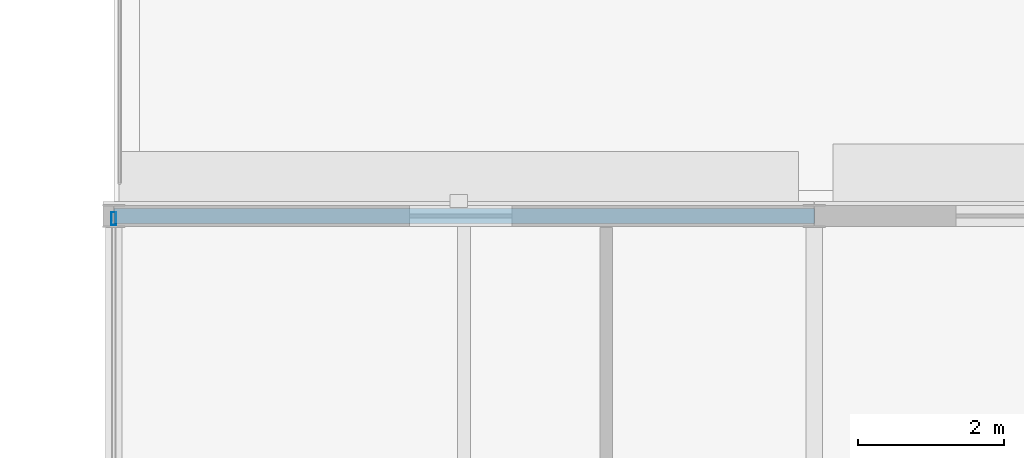
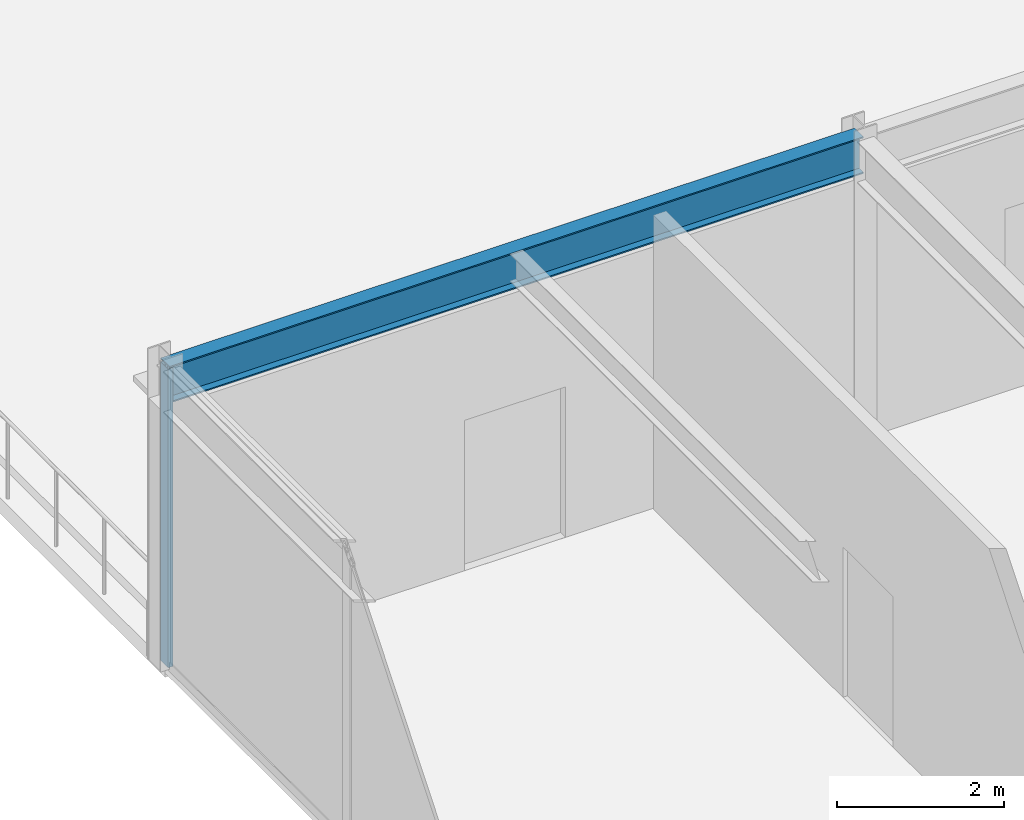
# One storey, part 12 of 18: 1 beam, 1 member, 1 element without a shape of its own.
"""IFC4 building model written with IfcOpenShell, lengths in metres."""

import ifcopenshell
import ifcopenshell.guid

model = None  # the IFC model being written
_history = None  # IfcOwnerHistory: only IFC2X3 demands one
_inside = {}  # id of a spatial element -> (the spatial element, [elements in it])
_under = {}  # id of a project, library or spatial element -> (it, [spatial elements below it])
_declared = {}  # id of a project -> (the project, [libraries it declares])
_typed = {}  # id of a type object -> (the type object, [elements of that type])
_made_of = {}  # id of a material, layer set ... -> (it, [elements and type objects made of it])


def new_model(schema):
    """Start an empty IFC model of exactly this schema.

    Asked for "IFC4X3", IfcOpenShell would pick the latest addendum, in which some entities
    have other attributes; the version numbers below select the first issue.
    IFC2X3 requires an IfcOwnerHistory on every rooted entity: one is made here for all.
    """
    global model, _history
    if schema == "IFC4X3":
        model = ifcopenshell.file(schema_version=(4, 3, 0, 0))
    else:
        model = ifcopenshell.file(schema=schema)
    _inside.clear()
    _under.clear()
    _declared.clear()
    _typed.clear()
    _made_of.clear()
    _history = None
    if model.schema == "IFC2X3":
        org = make("IfcOrganization", Name="unknown")
        user = make(
            "IfcPersonAndOrganization",
            ThePerson=make("IfcPerson", FamilyName="unknown"),
            TheOrganization=org,
        )
        app = make(
            "IfcApplication",
            ApplicationDeveloper=org,
            Version="unknown",
            ApplicationFullName="unknown",
            ApplicationIdentifier="unknown",
        )
        _history = make(
            "IfcOwnerHistory",
            OwningUser=user,
            OwningApplication=app,
            ChangeAction="ADDED",
            CreationDate=0,
        )
    return model


def make(cls, **values):
    """One entity of the class cls with the attributes given. An attribute that is None is left unset."""
    return model.create_entity(
        cls, **{name: value for name, value in values.items() if value is not None}
    )


def rooted(cls, **values):
    """An entity with a GlobalId (a new one), such as an element, a storey or a relation."""
    return make(cls, GlobalId=ifcopenshell.guid.new(), OwnerHistory=_history, **values)


def si_unit(unit_type, name, prefix=None):
    """IfcSIUnit, for example si_unit("LENGTHUNIT", "METRE", prefix="MILLI")."""
    return make("IfcSIUnit", UnitType=unit_type, Prefix=prefix, Name=name)


def assignment(units):
    """IfcUnitAssignment: the units of a project."""
    return None if units is None else make("IfcUnitAssignment", Units=units)


def point(xyz):
    """IfcCartesianPoint."""
    return None if xyz is None else make("IfcCartesianPoint", Coordinates=xyz)


def direction(xyz):
    """IfcDirection."""
    return None if xyz is None else make("IfcDirection", DirectionRatios=xyz)


def frame(location, z_axis=None, x_axis=None):
    """IfcAxis2Placement3D, a coordinate frame: its origin and axes. An axis left out is left unset."""
    return make(
        "IfcAxis2Placement3D",
        Location=point(location),
        Axis=direction(z_axis),
        RefDirection=direction(x_axis),
    )


def frame_2d(location, x_axis=None):
    """IfcAxis2Placement2D, a coordinate frame in the plane: its origin and x axis."""
    return make(
        "IfcAxis2Placement2D", Location=point(location), RefDirection=direction(x_axis)
    )


def origin():
    """The frame at (0, 0, 0) with its axes left unset."""
    return frame((0.0, 0.0, 0.0))


def origin_2d():
    """The frame at (0, 0) in the plane with its x axis left unset."""
    return frame_2d((0.0, 0.0))


def place(relative_to, where):
    """IfcLocalPlacement: puts the frame where relative to a parent placement (None: the world)."""
    return make(
        "IfcLocalPlacement", PlacementRelTo=relative_to, RelativePlacement=where
    )


def context(
    kind, dimensions, precision=None, world=None, true_north=None, identifier=None
):
    """IfcGeometricRepresentationContext, for example the 3D "Model" context."""
    return make(
        "IfcGeometricRepresentationContext",
        ContextIdentifier=identifier,
        ContextType=kind,
        CoordinateSpaceDimension=dimensions,
        Precision=precision,
        WorldCoordinateSystem=world,
        TrueNorth=true_north,
    )


def subcontext(parent, identifier, kind, view, scale=None):
    """IfcGeometricRepresentationSubContext, for example "Body" below "Model"."""
    return make(
        "IfcGeometricRepresentationSubContext",
        ContextIdentifier=identifier,
        ContextType=kind,
        ParentContext=parent,
        TargetScale=scale,
        TargetView=view,
    )


def project(units=None, contexts=None):
    """IfcProject with its units and contexts."""
    return rooted(
        "IfcProject",
        Name="project",
        RepresentationContexts=contexts,
        UnitsInContext=assignment(units),
    )


def spatial(cls, under=None, at=None, **own):
    """A site, building, storey or space (cls), placed at a placement, below another one or the project."""
    s = rooted(cls, ObjectPlacement=at, **own)
    if under is not None:
        _under.setdefault(under.id(), (under, []))[1].append(s)
    return s


def profile(cls, at=None, kind="AREA", **sizes):
    """A parametric profile (cls). Its sizes go by their IFC names, for example OverallWidth=200.0."""
    return make(cls, ProfileType=kind, Position=at, **sizes)


def hollow_rectangle(**sizes):
    """IfcRectangleHollowProfileDef."""
    return profile("IfcRectangleHollowProfileDef", **sizes)


def i_section(**sizes):
    """IfcIShapeProfileDef."""
    return profile("IfcIShapeProfileDef", **sizes)


def extrude(swept, where, along, depth):
    """IfcExtrudedAreaSolid: the profile swept, set in the frame where, extruded along a direction by depth."""
    return make(
        "IfcExtrudedAreaSolid",
        SweptArea=swept,
        Position=where,
        ExtrudedDirection=direction(along),
        Depth=depth,
    )


def shape(context_of_items, identifier, shape_type, items):
    """IfcShapeRepresentation: the items that make up one representation, for example the "Body"."""
    return make(
        "IfcShapeRepresentation",
        ContextOfItems=context_of_items,
        RepresentationIdentifier=identifier,
        RepresentationType=shape_type,
        Items=items,
    )


def material(Name=None, Category=None):
    """IfcMaterial."""
    return make("IfcMaterial", Name=Name, Category=Category)


def material_profile(
    of_material, cross_section, Name=None, Category=None, Priority=None
):
    """IfcMaterialProfile: a cross section and its material."""
    return make(
        "IfcMaterialProfile",
        Name=Name,
        Material=of_material,
        Profile=cross_section,
        Priority=Priority,
        Category=Category,
    )


def profile_set(profiles, Name=None, composite=None):
    """IfcMaterialProfileSet."""
    return make(
        "IfcMaterialProfileSet",
        Name=Name,
        MaterialProfiles=profiles,
        CompositeProfile=composite,
    )


def made_of(thing, what):
    """Note that an element or type object is made of a material, layer set ...; save() writes the relation."""
    if what is not None:
        _made_of.setdefault(what.id(), (what, []))[1].append(thing)
    return thing


def type_object(cls, material=None, **own):
    """A type object (cls), such as IfcWallType, which elements share."""
    return made_of(rooted(cls, **own), material)


def element(
    cls,
    number,
    at=None,
    inside=None,
    cuts=None,
    type_object=None,
    material=None,
    context=None,
    identifier="Body",
    shape_type=None,
    held_by="IfcProductDefinitionShape",
    body=None,
    shapes=None,
    **own,
):
    """One element of the class cls, such as IfcWall. Its Tag is "e" and its number.

    at: its placement. inside: the storey or other place that contains it. cuts: it is an
    opening in that element (IfcRelVoidsElement). A single representation is given by context,
    identifier, shape_type and body (its items); several are given by shapes. held_by: the class
    of the entity that holds the representations. save() writes the other relations.
    """
    e = rooted(cls, Tag="e%d" % number, ObjectPlacement=at, **own)
    if body is not None:
        shapes = [shape(context, identifier, shape_type, body)]
    if shapes is not None:
        e.Representation = make(held_by, Representations=shapes)
    if inside is not None:
        _inside.setdefault(inside.id(), (inside, []))[1].append(e)
    if cuts is not None:
        rooted(
            "IfcRelVoidsElement", RelatingBuildingElement=cuts, RelatedOpeningElement=e
        )
    if type_object is not None:
        _typed.setdefault(type_object.id(), (type_object, []))[1].append(e)
    return made_of(e, material)


def aggregate(whole, parts):
    """IfcRelAggregates: a whole, such as a stair, and the parts it consists of."""
    return rooted("IfcRelAggregates", RelatingObject=whole, RelatedObjects=parts)


def save(model, path):
    """Write the relations noted so far, then the file.

    IfcRelAggregates (storeys below a building ...), IfcRelContainedInSpatialStructure (elements
    in a storey), IfcRelDefinesByType, IfcRelAssociatesMaterial and IfcRelDeclares: one each for
    every whole, place, type object, material and project.
    """
    for whole, parts in _under.values():
        aggregate(whole, parts)
    for where, things in _inside.values():
        rooted(
            "IfcRelContainedInSpatialStructure",
            RelatedElements=things,
            RelatingStructure=where,
        )
    for kind, things in _typed.values():
        rooted("IfcRelDefinesByType", RelatedObjects=things, RelatingType=kind)
    for what, things in _made_of.values():
        rooted("IfcRelAssociatesMaterial", RelatedObjects=things, RelatingMaterial=what)
    for by, libraries in _declared.values():
        rooted("IfcRelDeclares", RelatingContext=by, RelatedDefinitions=libraries)
    model.write(path)


model = new_model("IFC4")

# Units and contexts
model_context = context("Model", 3, precision=1e-05, world=origin(), true_north=direction((0.0, 1.0)))
body_context = subcontext(model_context, "Body", "Model", "MODEL_VIEW")
ifc_project = project(units=[si_unit("LENGTHUNIT", "METRE"), si_unit("AREAUNIT", "SQUARE_METRE"), si_unit("VOLUMEUNIT", "CUBIC_METRE"), si_unit("PLANEANGLEUNIT", "RADIAN"), si_unit("MASSUNIT", "GRAM", prefix="KILO")], contexts=[model_context])

# Site, building, storey
site_placement = place(None, origin())
site = spatial("IfcSite", under=ifc_project, at=site_placement, CompositionType="ELEMENT")
building_placement = place(site_placement, origin())
building = spatial("IfcBuilding", under=site, at=building_placement, Name="Almandine Court Research Institute", CompositionType="ELEMENT")
storey_placement = place(building_placement, frame((0.0, 0.0, 37.10009765625)))
storey = spatial("IfcBuildingStorey", under=building, at=storey_placement, Name="L08", CompositionType="ELEMENT", Elevation=37.10009765625)

# Beam
ifc_material_1 = material(Name="Steel ASTM A992 Grade 50", Category="steel")
ifc_material_profile_1 = material_profile(ifc_material_1, i_section(OverallWidth=0.2109375, OverallDepth=0.5390625, WebThickness=0.011962890625, FlangeThickness=0.01904296875, at=origin_2d()), Name="W530x109")
ifc_profile_set_1 = profile_set([ifc_material_profile_1], Name="Steel ASTM A992 Grade 50")
beam_type = type_object("IfcBeamType", Name="Beam-G-04", PredefinedType="BEAM", material=ifc_profile_set_1)
beam_placement = place(storey_placement, frame((153.60009765625, 57.60009765625, 4.114990234375), z_axis=(1.0, 0.0, 0.0), x_axis=(0.0, 1.0, 0.0)))
element("IfcBeam", 1, at=beam_placement, inside=storey, type_object=beam_type, Name="L08 V4 Primary X Girder", PredefinedType="BEAM", context=body_context, shape_type="SweptSolid", body=[
    extrude(i_section(OverallWidth=0.2109375, OverallDepth=0.5390625, WebThickness=0.011962890625, FlangeThickness=0.01904296875, at=origin_2d()), origin(), (0.0, 0.0, 1.0), 9.599853515625),
])

# Curtain wall, member
ifc_material_2 = material(Name="Unitised Curtain Wall Framing and Solar Glazing", Category="glass")
curtain_wall_type = type_object("IfcCurtainWallType", Name="CW-CWJ-15", PredefinedType="USERDEFINED", material=ifc_material_2)
curtain_wall_placement = place(storey_placement, origin())
curtain_wall = element("IfcCurtainWall", 2, at=curtain_wall_placement, inside=storey, type_object=curtain_wall_type, Name="L08 Wet Lab West Courtyard Jali Curtain Wall 5", ObjectType="SOLAR JALI SCREEN", PredefinedType="USERDEFINED")
ifc_material_3 = material(Name="Anodised Aluminium AW-6063-T6", Category="aluminium")
ifc_material_profile_2 = material_profile(ifc_material_3, hollow_rectangle(XDim=0.06494140625, YDim=0.179931640625, WallThickness=0.00390625, at=origin_2d()), Name="ALU RHS 65x180x4")
ifc_profile_set_2 = profile_set([ifc_material_profile_2], Name="Anodised Aluminium AW-6063-T6")
member_type = type_object("IfcMemberType", Name="CWMul-65x180", PredefinedType="MULLION", material=ifc_profile_set_2)
member_placement = place(storey_placement, frame((153.60009765625, 57.5634765625, 0.0), z_axis=(0.0, 0.0, 1.0), x_axis=(-1.0, 0.0, 0.0)))
member = element("IfcMember", 3, at=member_placement, type_object=member_type, Name="CWJ-15 mullion 4", PredefinedType="MULLION", context=body_context, shape_type="SweptSolid", body=[
    extrude(hollow_rectangle(XDim=0.06494140625, YDim=0.179931640625, WallThickness=0.00390625, at=origin_2d()), origin(), (0.0, 0.0, 1.0), 4.369873046875),
])
aggregate(curtain_wall, [member])

save(model, "model.ifc")
